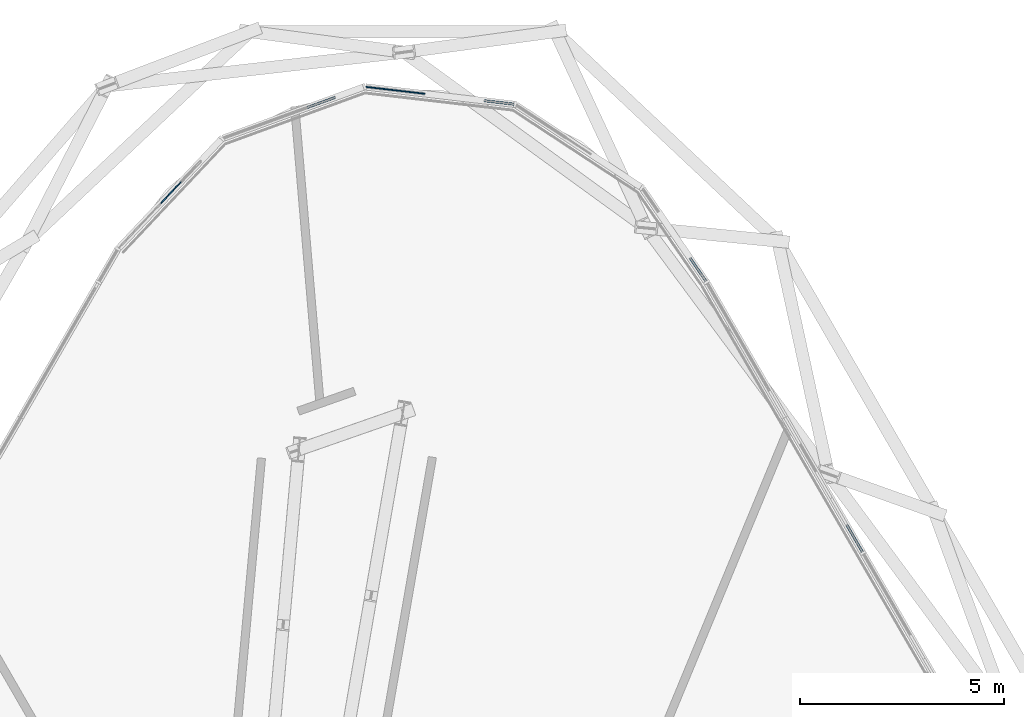
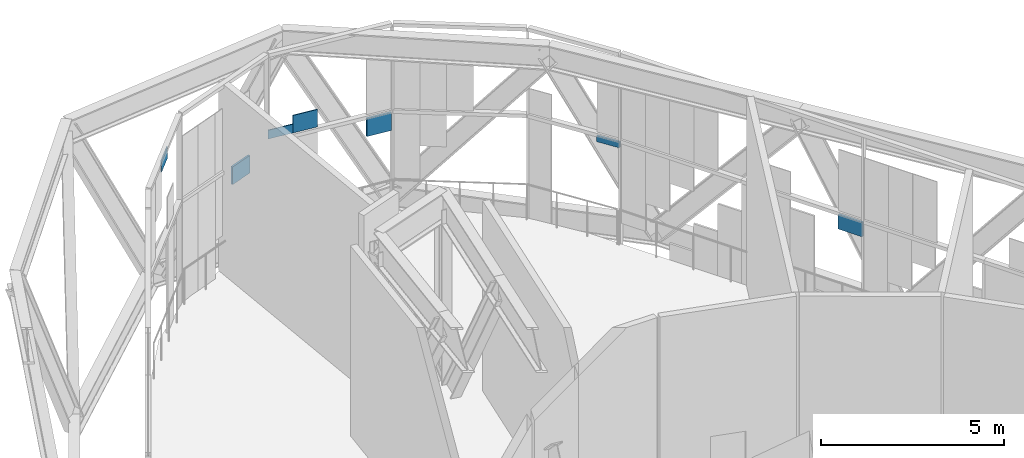
# One storey, part 22 of 29: 7 plates, 2 elements without a shape of their own.
"""IFC4 building model written with IfcOpenShell, lengths in metres."""

from ifc_helpers import new_model, si_unit, direction, frame, origin, origin_2d, place, context, subcontext, project, spatial, rectangle, extrude, material, layer, layer_set, type_object, element, aggregate, save


model = new_model("IFC4")

# Units and contexts
model_context = context("Model", 3, precision=1e-05, world=origin(), true_north=direction((0.0, 1.0)))
body_context = subcontext(model_context, "Body", "Model", "MODEL_VIEW")
ifc_project = project(units=[si_unit("LENGTHUNIT", "METRE"), si_unit("AREAUNIT", "SQUARE_METRE"), si_unit("VOLUMEUNIT", "CUBIC_METRE"), si_unit("PLANEANGLEUNIT", "RADIAN"), si_unit("MASSUNIT", "GRAM", prefix="KILO")], contexts=[model_context])

# Site, building, storey
site_placement = place(None, origin())
site = spatial("IfcSite", under=ifc_project, at=site_placement, CompositionType="ELEMENT")
building_placement = place(site_placement, origin())
building = spatial("IfcBuilding", under=site, at=building_placement, Name="Spindle Arch Residences", CompositionType="ELEMENT")
storey_placement = place(building_placement, frame((0.0, 0.0, 69.89990234375)))
storey = spatial("IfcBuildingStorey", under=building, at=storey_placement, Name="L16", CompositionType="ELEMENT", Elevation=69.89990234375)

# Curtain wall, plates
ifc_material_1 = material(Name="Aluminium bronze unitised frame with tinted glass", Category="aluminium")
ifc_layer_1 = layer(ifc_material_1, 0.159912109375)
ifc_layer_set_1 = layer_set([ifc_layer_1], Name="CW-E double-height winter garden wall")
curtain_wall_type = type_object("IfcCurtainWallType", Name="CW-E double-height winter garden wall", PredefinedType="NOTDEFINED", material=ifc_layer_set_1)
curtain_wall_1_placement = place(storey_placement, origin())
curtain_wall_1 = element("IfcCurtainWall", 1, at=curtain_wall_1_placement, inside=storey, type_object=curtain_wall_type, Name="CW-E L16 run 3", PredefinedType="NOTDEFINED")
ifc_material_2 = material(Name="Tinted laminated glass 28 mm", Category="glass")
ifc_layer_2 = layer(ifc_material_2, 0.028076171875)
ifc_layer_set_2 = layer_set([ifc_layer_2], Name="Tinted glass panel 28 mm")
plate_type_1 = type_object("IfcPlateType", Name="Tinted glass panel 28 mm", PredefinedType="CURTAIN_PANEL", material=ifc_layer_set_2)
plate_1_placement = place(storey_placement, frame((0.184326171875, 31.154052734375, 3.460205078125), z_axis=(0.0, 0.0, 1.0), x_axis=(-0.993238357591, 0.116092915414, 0.0)))
plate_1 = element("IfcPlate", 2, at=plate_1_placement, type_object=plate_type_1, Name="CW-E panel 02b.2", PredefinedType="CURTAIN_PANEL", context=body_context, shape_type="SweptSolid", body=[
    extrude(rectangle(XDim=0.7333984375, YDim=0.028076171875, at=origin_2d()), origin(), (0.0, 0.0, 1.0), 0.583984375),
])
plate_2_placement = place(storey_placement, frame((-0.5439453125, 31.239013671875, 3.4599609375), z_axis=(0.0, 0.0, 1.0), x_axis=(-0.993238357591, 0.116092915414, 0.0)))
plate_2 = element("IfcPlate", 3, at=plate_2_placement, type_object=plate_type_1, Name="CW-E panel 02b.3", PredefinedType="CURTAIN_PANEL", context=body_context, shape_type="SweptSolid", body=[
    extrude(rectangle(XDim=0.7333984375, YDim=0.028076171875, at=origin_2d()), origin(), (0.0, 0.0, 1.0), 0.294189453125),
])
plate_3_placement = place(storey_placement, frame((-5.690185546875, 28.685302734375, 5.830322265625), z_axis=(0.0, 0.0, 1.0), x_axis=(-0.686241639236, -0.727373640284, 0.0)))
plate_3 = element("IfcPlate", 4, at=plate_3_placement, type_object=plate_type_1, Name="CW-E panel 04b.2", PredefinedType="CURTAIN_PANEL", context=body_context, shape_type="SweptSolid", body=[
    extrude(rectangle(XDim=0.716796875, YDim=0.028076171875, at=origin_2d()), origin(), (0.0, 0.0, 1.0), 0.39990234375),
])

# Curtain wall, plate
curtain_wall_2_placement = place(storey_placement, origin())
curtain_wall_2 = element("IfcCurtainWall", 5, at=curtain_wall_2_placement, inside=storey, type_object=curtain_wall_type, Name="CW-E L16 run 2", PredefinedType="NOTDEFINED")
ifc_material_3 = material(Name="Tinted double glazing over aluminium faced non-combustible spandrel zone (K0)", Category="aluminium")
ifc_layer_3 = layer(ifc_material_3, 0.06005859375)
ifc_layer_set_3 = layer_set([ifc_layer_3], Name="Unitised glass panel with E 60 spandrel zone")
plate_type_2 = type_object("IfcPlateType", Name="Unitised glass panel with E 60 spandrel zone", PredefinedType="CURTAIN_PANEL", material=ifc_layer_set_3)
plate_4_placement = place(storey_placement, frame((11.103759765625, 20.1875, 2.85400390625), z_axis=(0.0, 0.0, 1.0), x_axis=(-0.5, 0.866025403784, 0.0)))
plate_4 = element("IfcPlate", 6, at=plate_4_placement, type_object=plate_type_2, Name="CW-E panel 09Aa.1", PredefinedType="CURTAIN_PANEL", context=body_context, shape_type="SweptSolid", body=[
    extrude(rectangle(XDim=0.761962890625, YDim=0.06005859375, at=origin_2d()), origin(), (0.0, 0.0, 1.0), 0.486083984375),
])
aggregate(curtain_wall_2, [plate_4])

# Plate
plate_5_placement = place(storey_placement, frame((7.257568359375, 26.79150390625, 3.1435546875), z_axis=(0.0, 0.0, 1.0), x_axis=(-0.565500718711, 0.824747802142, 0.0)))
plate_5 = element("IfcPlate", 7, at=plate_5_placement, type_object=plate_type_2, Name="CW-E panel 00a.1", PredefinedType="CURTAIN_PANEL", context=body_context, shape_type="SweptSolid", body=[
    extrude(rectangle(XDim=0.688720703125, YDim=0.06005859375, at=origin_2d()), origin(), (0.0, 0.0, 1.0), 0.196533203125),
])

plate_6_placement = place(storey_placement, frame((2.36962890625, 30.898681640625, 2.739990234375), z_axis=(0.0, 0.0, 1.0), x_axis=(-0.993238357591, 0.116092915414, 0.0)))
plate_6 = element("IfcPlate", 8, at=plate_6_placement, type_object=plate_type_2, Name="CW-E panel 02a.1", PredefinedType="CURTAIN_PANEL", context=body_context, shape_type="SweptSolid", body=[
    extrude(rectangle(XDim=0.7333984375, YDim=0.06005859375, at=origin_2d()), origin(), (0.0, 0.0, 1.0), 0.60009765625),
])

plate_7_placement = place(storey_placement, frame((-2.0, 30.898681640625, 2.749267578125), z_axis=(0.0, 0.0, 1.0), x_axis=(-0.939692621437, -0.342020141538, 0.0)))
plate_7 = element("IfcPlate", 9, at=plate_7_placement, type_object=plate_type_2, Name="CW-E panel 03a.1", PredefinedType="CURTAIN_PANEL", context=body_context, shape_type="SweptSolid", body=[
    extrude(rectangle(XDim=0.7333984375, YDim=0.06005859375, at=origin_2d()), origin(), (0.0, 0.0, 1.0), 0.5908203125),
])

aggregate(curtain_wall_1, [plate_5, plate_6, plate_1, plate_2, plate_7, plate_3])

save(model, "model.ifc")
